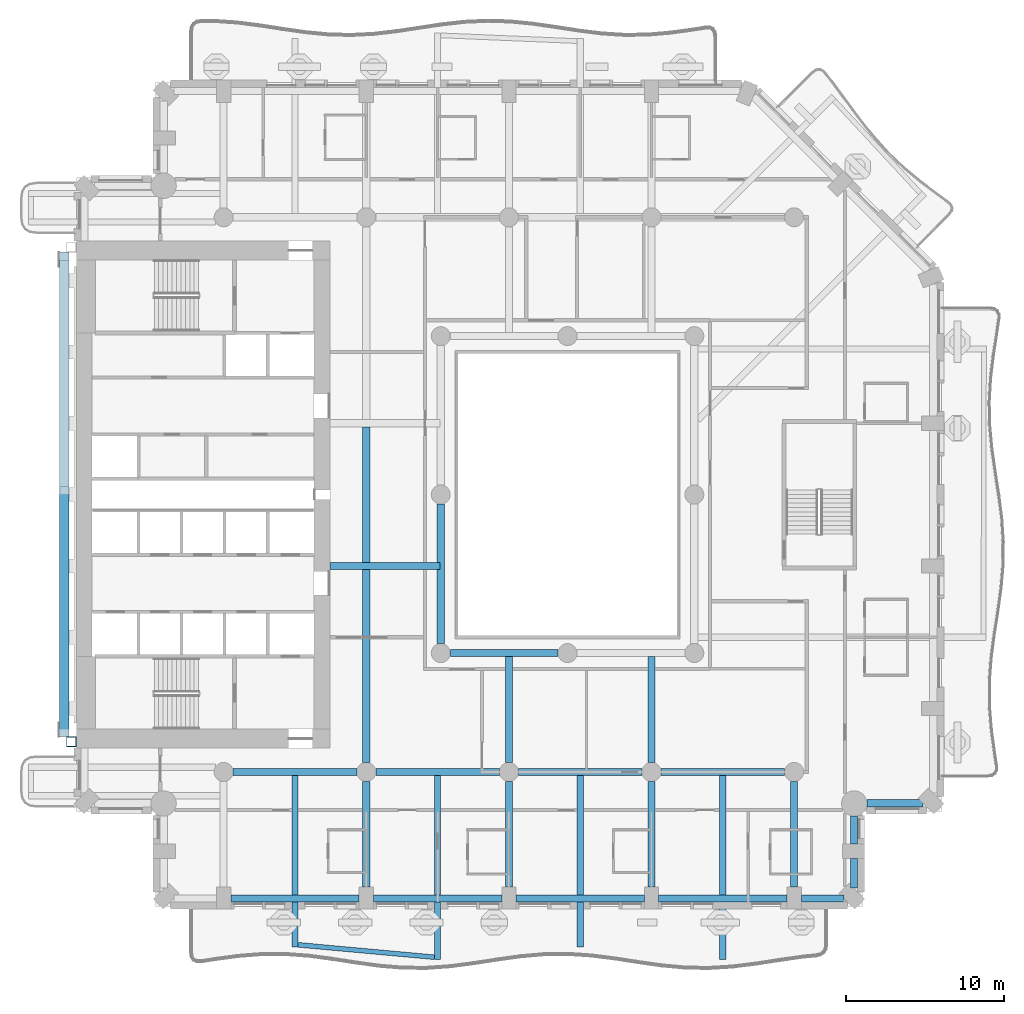
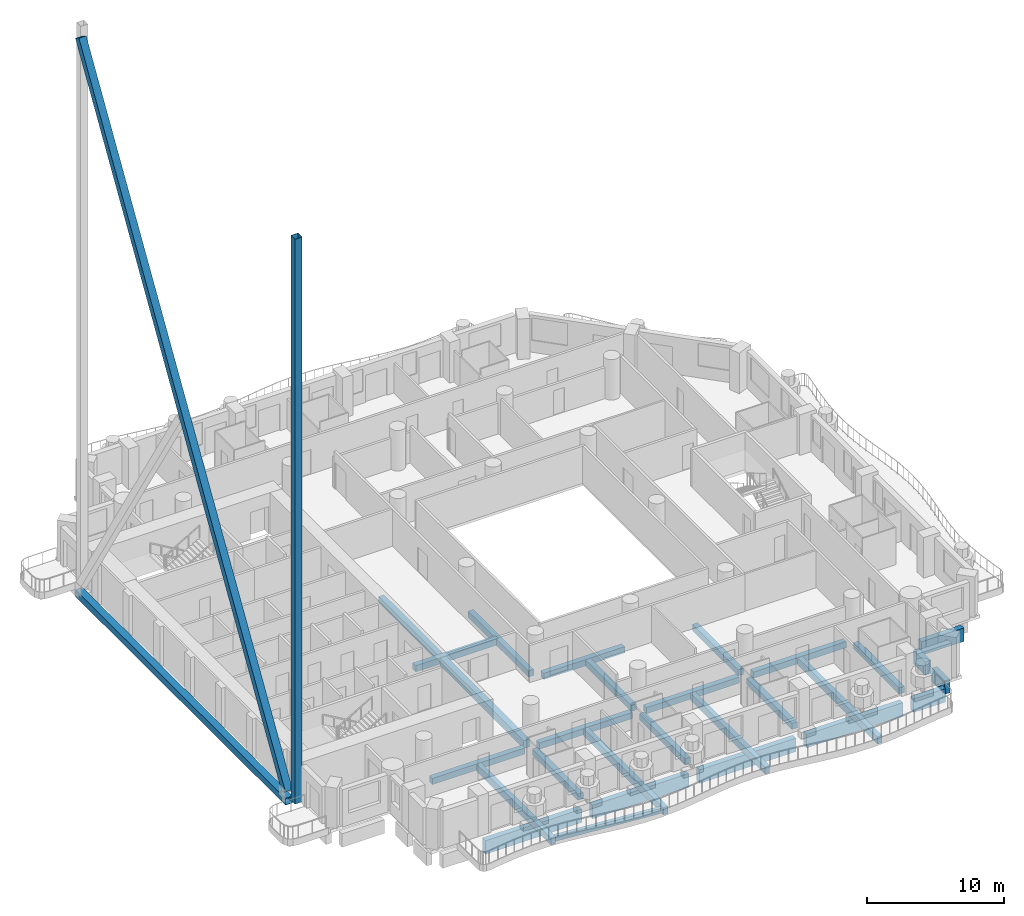
# One storey, part 2 of 24: 28 beams, 3 members.
"""IFC4 building model written with IfcOpenShell, lengths in metres."""

from ifc_helpers import new_model, si_unit, direction, frame, origin, origin_2d, place, context, subcontext, project, spatial, rectangle, hollow_rectangle, extrude, material, material_profile, profile_set, type_object, element, save


model = new_model("IFC4")

# Units and contexts
model_context = context("Model", 3, precision=1e-05, world=origin(), true_north=direction((0.0, 1.0)))
body_context = subcontext(model_context, "Body", "Model", "MODEL_VIEW")
ifc_project = project(units=[si_unit("LENGTHUNIT", "METRE"), si_unit("AREAUNIT", "SQUARE_METRE"), si_unit("VOLUMEUNIT", "CUBIC_METRE"), si_unit("PLANEANGLEUNIT", "RADIAN"), si_unit("MASSUNIT", "GRAM", prefix="KILO")], contexts=[model_context])

# Site, building, storey
site_placement = place(None, origin())
site = spatial("IfcSite", under=ifc_project, at=site_placement, CompositionType="ELEMENT")
building_placement = place(site_placement, origin())
building = spatial("IfcBuilding", under=site, at=building_placement, Name="Cypress Arch Tower", CompositionType="ELEMENT")
storey_placement = place(building_placement, frame((0.0, 0.0, 102.300048828125)))
storey = spatial("IfcBuildingStorey", under=building, at=storey_placement, Name="L20", CompositionType="ELEMENT", Elevation=102.300048828125)

# Beams
ifc_material_1 = material(Name="Concrete C50/60", Category="concrete")
ifc_material_profile_1 = material_profile(ifc_material_1, rectangle(XDim=0.300048828125, YDim=0.449951171875, at=origin_2d()), Name="RC 300x450")
ifc_profile_set_1 = profile_set([ifc_material_profile_1], Name="Concrete C50/60")
beam_type_1 = type_object("IfcBeamType", Name="Balcony edge beam RC 300x450 Concrete C50/60", PredefinedType="BEAM", material=ifc_profile_set_1)
beam_1_placement = place(storey_placement, frame((-16.0, -28.408447265625, -0.525146484375), z_axis=(0.995883931978, -0.090637707543, 0.0), x_axis=(0.090637707543, 0.995883931978, 0.0)))
element("IfcBeam", 1, at=beam_1_placement, inside=storey, type_object=beam_type_1, Name="Balcony edge beam L20 A03", PredefinedType="BEAM", context=body_context, shape_type="SweptSolid", body=[
    extrude(rectangle(XDim=0.300048828125, YDim=0.449951171875, at=origin_2d()), origin(), (0.0, 0.0, 1.0), 8.6357421875),
])
ifc_material_2 = material(Name="Concrete C50/60", Category="concrete")
ifc_material_profile_2 = material_profile(ifc_material_2, rectangle(XDim=0.39990234375, YDim=0.64990234375, at=origin_2d()), Name="RC 400x650")
ifc_profile_set_2 = profile_set([ifc_material_profile_2], Name="Concrete C50/60")
beam_type_2 = type_object("IfcBeamType", Name="Cantilever beam RC 400x650 Concrete C50/60", PredefinedType="BEAM", material=ifc_profile_set_2)
beam_2_placement = place(storey_placement, frame((-16.199951171875, -17.72509765625, -0.625), z_axis=(0.0, -1.0, 0.0), x_axis=(1.0, 0.0, 0.0)))
element("IfcBeam", 2, at=beam_2_placement, inside=storey, type_object=beam_type_2, Name="Cantilever beam L20 A03 1", PredefinedType="BEAM", context=body_context, shape_type="SweptSolid", body=[
    extrude(rectangle(XDim=0.39990234375, YDim=0.64990234375, at=origin_2d()), origin(), (0.0, 0.0, 1.0), 10.833251953125),
])
beam_3_placement = place(storey_placement, frame((-7.199951171875, -17.72509765625, -0.625), z_axis=(0.0, -1.0, 0.0), x_axis=(1.0, 0.0, 0.0)))
element("IfcBeam", 3, at=beam_3_placement, inside=storey, type_object=beam_type_2, Name="Cantilever beam L20 A03 2", PredefinedType="BEAM", context=body_context, shape_type="SweptSolid", body=[
    extrude(rectangle(XDim=0.39990234375, YDim=0.64990234375, at=origin_2d()), origin(), (0.0, 0.0, 1.0), 11.615966796875),
])
beam_4_placement = place(storey_placement, frame((1.800048828125, -17.72509765625, -0.625), z_axis=(0.0, -1.0, 0.0), x_axis=(1.0, 0.0, 0.0)))
element("IfcBeam", 4, at=beam_4_placement, inside=storey, type_object=beam_type_2, Name="Cantilever beam L20 A03 3", PredefinedType="BEAM", context=body_context, shape_type="SweptSolid", body=[
    extrude(rectangle(XDim=0.39990234375, YDim=0.64990234375, at=origin_2d()), origin(), (0.0, 0.0, 1.0), 10.833984375),
])
beam_5_placement = place(storey_placement, frame((10.800048828125, -17.72509765625, -0.625), z_axis=(0.0, -1.0, 0.0), x_axis=(1.0, 0.0, 0.0)))
element("IfcBeam", 5, at=beam_5_placement, inside=storey, type_object=beam_type_2, Name="Cantilever beam L20 A03 4", PredefinedType="BEAM", context=body_context, shape_type="SweptSolid", body=[
    extrude(rectangle(XDim=0.39990234375, YDim=0.64990234375, at=origin_2d()), origin(), (0.0, 0.0, 1.0), 11.6162109375),
])
ifc_material_3 = material(Name="Concrete C50/60", Category="concrete")
ifc_material_profile_3 = material_profile(ifc_material_3, rectangle(XDim=0.449951171875, YDim=0.550048828125, at=origin_2d()), Name="RC 450x550")
ifc_profile_set_3 = profile_set([ifc_material_profile_3], Name="Concrete C50/60")
beam_type_3 = type_object("IfcBeamType", Name="Floor beam RC 450x550 Concrete C50/60", PredefinedType="BEAM", material=ifc_profile_set_3)
beam_6_placement = place(storey_placement, frame((-7.0, -9.39990234375, -0.574951171875), z_axis=(0.0, 1.0, 0.0), x_axis=(-1.0, 0.0, 0.0)))
element("IfcBeam", 6, at=beam_6_placement, inside=storey, type_object=beam_type_3, Name="Floor beam L20 RB001", PredefinedType="BEAM", context=body_context, shape_type="SweptSolid", body=[
    extrude(rectangle(XDim=0.449951171875, YDim=0.550048828125, at=origin_2d()), origin(), (0.0, 0.0, 1.0), 8.7998046875),
])
beam_7_placement = place(storey_placement, frame((-6.39990234375, -10.0, -0.574951171875), z_axis=(1.0, 0.0, 0.0), x_axis=(0.0, 1.0, 0.0)))
element("IfcBeam", 7, at=beam_7_placement, inside=storey, type_object=beam_type_3, Name="Floor beam L20 RB005", PredefinedType="BEAM", context=body_context, shape_type="SweptSolid", body=[
    extrude(rectangle(XDim=0.449951171875, YDim=0.550048828125, at=origin_2d()), origin(), (0.0, 0.0, 1.0), 6.7998046875),
])
for number, where, z_axis, x_axis, name in (
    (8, (-20.10009765625, -17.5, -0.574951171875), (1.0, 0.0, 0.0), (0.0, 1.0, 0.0), "Floor beam L20 FB009"),
    (9, (-11.10009765625, -17.5, -0.574951171875), (1.0, 0.0, 0.0), (0.0, 1.0, 0.0), "Floor beam L20 FB010"),
    (10, (-2.10009765625, -17.5, -0.574951171875), (1.0, 0.0, 0.0), (0.0, 1.0, 0.0), "Floor beam L20 FB011"),
    (11, (6.89990234375, -17.5, -0.574951171875), (1.0, 0.0, 0.0), (0.0, 1.0, 0.0), "Floor beam L20 FB012"),
):
    element("IfcBeam", number, at=place(storey_placement, frame(where, z_axis=z_axis, x_axis=x_axis)), inside=storey, type_object=beam_type_3, Name=name, PredefinedType="BEAM", context=body_context, shape_type="SweptSolid", body=[
        extrude(rectangle(XDim=0.449951171875, YDim=0.550048828125, at=origin_2d()), origin(), (0.0, 0.0, 1.0), 7.800048828125),
    ])
beam_8_placement = place(storey_placement, frame((-14.0, -4.5, -0.574951171875), z_axis=(1.0, 0.0, 0.0), x_axis=(0.0, 1.0, 0.0)))
element("IfcBeam", 12, at=beam_8_placement, inside=storey, type_object=beam_type_3, Name="Floor beam L20 FB013", PredefinedType="BEAM", context=body_context, shape_type="SweptSolid", body=[
    extrude(rectangle(XDim=0.449951171875, YDim=0.550048828125, at=origin_2d()), origin(), (0.0, 0.0, 1.0), 6.949951171875),
])
beam_9_placement = place(storey_placement, frame((-11.699951171875, -24.75, -0.574951171875), z_axis=(0.0, 1.0, 0.0), x_axis=(-1.0, 0.0, 0.0)))
element("IfcBeam", 13, at=beam_9_placement, inside=storey, type_object=beam_type_3, Name="Floor beam L20 FB021", PredefinedType="BEAM", context=body_context, shape_type="SweptSolid", body=[
    extrude(rectangle(XDim=0.449951171875, YDim=0.550048828125, at=origin_2d()), origin(), (0.0, 0.0, 1.0), 6.64990234375),
])
beam_10_placement = place(storey_placement, frame((-11.699951171875, -4.27490234375, -0.574951171875), z_axis=(0.0, 1.0, 0.0), x_axis=(-1.0, 0.0, 0.0)))
element("IfcBeam", 14, at=beam_10_placement, inside=storey, type_object=beam_type_3, Name="Floor beam L20 FB023", PredefinedType="BEAM", context=body_context, shape_type="SweptSolid", body=[
    extrude(rectangle(XDim=0.449951171875, YDim=0.550048828125, at=origin_2d()), origin(), (0.0, 0.0, 1.0), 8.5498046875),
])
beam_11_placement = place(storey_placement, frame((-2.699951171875, -24.75, -0.574951171875), z_axis=(0.0, 1.0, 0.0), x_axis=(-1.0, 0.0, 0.0)))
element("IfcBeam", 15, at=beam_11_placement, inside=storey, type_object=beam_type_3, Name="Floor beam L20 FB026", PredefinedType="BEAM", context=body_context, shape_type="SweptSolid", body=[
    extrude(rectangle(XDim=0.449951171875, YDim=0.550048828125, at=origin_2d()), origin(), (0.0, 0.0, 1.0), 6.64990234375),
])
beam_12_placement = place(storey_placement, frame((-2.699951171875, -16.89990234375, -0.574951171875), z_axis=(0.0, 1.0, 0.0), x_axis=(-1.0, 0.0, 0.0)))
element("IfcBeam", 16, at=beam_12_placement, inside=storey, type_object=beam_type_3, Name="Floor beam L20 FB027", PredefinedType="BEAM", context=body_context, shape_type="SweptSolid", body=[
    extrude(rectangle(XDim=0.449951171875, YDim=0.550048828125, at=origin_2d()), origin(), (0.0, 0.0, 1.0), 6.6748046875),
])
beam_13_placement = place(storey_placement, frame((6.300048828125, -24.75, -0.574951171875), z_axis=(0.0, 1.0, 0.0), x_axis=(-1.0, 0.0, 0.0)))
element("IfcBeam", 17, at=beam_13_placement, inside=storey, type_object=beam_type_3, Name="Floor beam L20 FB030", PredefinedType="BEAM", context=body_context, shape_type="SweptSolid", body=[
    extrude(rectangle(XDim=0.449951171875, YDim=0.550048828125, at=origin_2d()), origin(), (0.0, 0.0, 1.0), 6.64990234375),
])
beam_14_placement = place(storey_placement, frame((6.300048828125, -16.89990234375, -0.574951171875), z_axis=(0.0, 1.0, 0.0), x_axis=(-1.0, 0.0, 0.0)))
element("IfcBeam", 18, at=beam_14_placement, inside=storey, type_object=beam_type_3, Name="Floor beam L20 FB031", PredefinedType="BEAM", context=body_context, shape_type="SweptSolid", body=[
    extrude(rectangle(XDim=0.449951171875, YDim=0.550048828125, at=origin_2d()), origin(), (0.0, 0.0, 1.0), 6.6748046875),
])
beam_15_placement = place(storey_placement, frame((15.300048828125, -24.75, -0.574951171875), z_axis=(0.0, 1.0, 0.0), x_axis=(-1.0, 0.0, 0.0)))
element("IfcBeam", 19, at=beam_15_placement, inside=storey, type_object=beam_type_3, Name="Floor beam L20 FB034", PredefinedType="BEAM", context=body_context, shape_type="SweptSolid", body=[
    extrude(rectangle(XDim=0.449951171875, YDim=0.550048828125, at=origin_2d()), origin(), (0.0, 0.0, 1.0), 6.64990234375),
])
ifc_material_4 = material(Name="Concrete C50/60", Category="concrete")
ifc_material_profile_4 = material_profile(ifc_material_4, rectangle(XDim=0.5, YDim=0.699951171875, at=origin_2d()), Name="RC 500x700")
ifc_profile_set_4 = profile_set([ifc_material_profile_4], Name="Concrete C50/60")
beam_type_4 = type_object("IfcBeamType", Name="Floor beam RC 500x700 Concrete C50/60", PredefinedType="BEAM", material=ifc_profile_set_4)
beam_16_placement = place(storey_placement, frame((-11.699951171875, -16.89990234375, -0.650146484375), z_axis=(0.0, 1.0, 0.0), x_axis=(-1.0, 0.0, 0.0)))
element("IfcBeam", 20, at=beam_16_placement, inside=storey, type_object=beam_type_4, Name="Floor beam L20 FB022", PredefinedType="BEAM", context=body_context, shape_type="SweptSolid", body=[
    extrude(rectangle(XDim=0.5, YDim=0.699951171875, at=origin_2d()), origin(), (0.0, 0.0, 1.0), 12.1748046875),
])
ifc_material_5 = material(Name="Concrete C50/60", Category="concrete")
ifc_material_profile_5 = material_profile(ifc_material_5, rectangle(XDim=0.449951171875, YDim=1.199951171875, at=origin_2d()), Name="RC 450x1200")
ifc_profile_set_5 = profile_set([ifc_material_profile_5], Name="Concrete C50/60")
beam_type_5 = type_object("IfcBeamType", Name="Spandrel beam RC 450x1200 Concrete C50/60", PredefinedType="SPANDREL", material=ifc_profile_set_5)
for number, where, z_axis, x_axis, name in (
    (21, (-20.25, -25.47509765625, -1.550048828125), (1.0, 0.0, 0.0), (0.0, 1.0, 0.0), "Spandrel beam L20 BA03-1"),
    (22, (-11.25, -25.47509765625, -1.550048828125), (1.0, 0.0, 0.0), (0.0, 1.0, 0.0), "Spandrel beam L20 BA03-2"),
    (23, (-2.25, -25.47509765625, -1.550048828125), (1.0, 0.0, 0.0), (0.0, 1.0, 0.0), "Spandrel beam L20 BA03-3"),
    (24, (6.75, -25.47509765625, -1.550048828125), (1.0, 0.0, 0.0), (0.0, 1.0, 0.0), "Spandrel beam L20 BA03-4"),
):
    element("IfcBeam", number, at=place(storey_placement, frame(where, z_axis=z_axis, x_axis=x_axis)), inside=storey, type_object=beam_type_5, Name=name, PredefinedType="SPANDREL", context=body_context, shape_type="SweptSolid", body=[
        extrude(rectangle(XDim=0.449951171875, YDim=1.199951171875, at=origin_2d()), origin(), (0.0, 0.0, 1.0), 8.10009765625),
    ])
beam_17_placement = place(storey_placement, frame((15.75, -25.47509765625, -1.550048828125), z_axis=(1.0, 0.0, 0.0), x_axis=(0.0, 1.0, 0.0)))
element("IfcBeam", 25, at=beam_17_placement, inside=storey, type_object=beam_type_5, Name="Spandrel beam L20 BA03-5", PredefinedType="SPANDREL", context=body_context, shape_type="SweptSolid", body=[
    extrude(rectangle(XDim=0.449951171875, YDim=1.199951171875, at=origin_2d()), origin(), (0.0, 0.0, 1.0), 2.688720703125),
])
beam_18_placement = place(storey_placement, frame((19.074951171875, -24.838623046875, -1.550048828125), z_axis=(0.0, 1.0, 0.0), x_axis=(-1.0, 0.0, 0.0)))
element("IfcBeam", 26, at=beam_18_placement, inside=storey, type_object=beam_type_5, Name="Spandrel beam L20 BA04-0", PredefinedType="SPANDREL", context=body_context, shape_type="SweptSolid", body=[
    extrude(rectangle(XDim=0.449951171875, YDim=1.199951171875, at=origin_2d()), origin(), (0.0, 0.0, 1.0), 1.888671875),
])
beam_19_placement = place(storey_placement, frame((19.074951171875, -22.050048828125, -1.550048828125), z_axis=(0.0, 1.0, 0.0), x_axis=(-1.0, 0.0, 0.0)))
element("IfcBeam", 27, at=beam_19_placement, inside=storey, type_object=beam_type_5, Name="Spandrel beam L20 BA04-1", PredefinedType="SPANDREL", context=body_context, shape_type="SweptSolid", body=[
    extrude(rectangle(XDim=0.449951171875, YDim=1.199951171875, at=origin_2d()), origin(), (0.0, 0.0, 1.0), 1.762451171875),
])
beam_20_placement = place(storey_placement, frame((19.887451171875, -19.47509765625, -1.550048828125), z_axis=(1.0, 0.0, 0.0), x_axis=(0.0, 1.0, 0.0)))
element("IfcBeam", 28, at=beam_20_placement, inside=storey, type_object=beam_type_5, Name="Spandrel beam L20 BA05-0", PredefinedType="SPANDREL", context=body_context, shape_type="SweptSolid", body=[
    extrude(rectangle(XDim=0.449951171875, YDim=1.199951171875, at=origin_2d()), origin(), (0.0, 0.0, 1.0), 3.55126953125),
])

# Members
ifc_material_6 = material(Name="Steel ASTM A501 Grade B", Category="steel")
ifc_material_profile_6 = material_profile(ifc_material_6, hollow_rectangle(XDim=0.609619140625, YDim=0.609619140625, WallThickness=0.023681640625, at=origin_2d()), Name="HSS 24x24x1")
ifc_profile_set_6 = profile_set([ifc_material_profile_6], Name="Steel ASTM A501 Grade B")
member_type_1 = type_object("IfcMemberType", Name="West bracing chord HSS 24x24x1 Steel ASTM A501 Grade B", PredefinedType="CHORD", material=ifc_profile_set_6)
member_1_placement = place(storey_placement, frame((-30.7548828125, -15.295166015625, 0.0), z_axis=(0.0, 1.0, 0.0), x_axis=(-1.0, 0.0, 0.0)))
element("IfcMember", 29, at=member_1_placement, inside=storey, type_object=member_type_1, Name="West bracing chord 2", PredefinedType="CHORD", context=body_context, shape_type="SweptSolid", body=[
    extrude(hollow_rectangle(XDim=0.609619140625, YDim=0.609619140625, WallThickness=0.023681640625, at=origin_2d()), origin(), (0.0, 0.0, 1.0), 30.59033203125),
])
ifc_material_7 = material(Name="Steel ASTM A501 Grade B", Category="steel")
ifc_material_profile_7 = material_profile(ifc_material_7, hollow_rectangle(XDim=0.609619140625, YDim=0.609619140625, WallThickness=0.023681640625, at=origin_2d()), Name="HSS 24x24x1")
ifc_profile_set_7 = profile_set([ifc_material_profile_7], Name="Steel ASTM A501 Grade B")
member_type_2 = type_object("IfcMemberType", Name="West bracing diagonal HSS 24x24x1 Steel ASTM A501 Grade B", PredefinedType="BRACE", material=ifc_profile_set_7)
member_2_placement = place(storey_placement, frame((-30.7548828125, -15.036376953125, 0.724365234375), z_axis=(0.0, 0.52501077408, 0.851095580472), x_axis=(-1.0, 0.0, 0.0)))
element("IfcMember", 30, at=member_2_placement, inside=storey, type_object=member_type_2, Name="West bracing diagonal 2A", PredefinedType="BRACE", context=body_context, shape_type="SweptSolid", body=[
    extrude(hollow_rectangle(XDim=0.609619140625, YDim=0.609619140625, WallThickness=0.023681640625, at=origin_2d()), origin(), (0.0, 0.0, 1.0), 57.2802734375),
])
ifc_material_8 = material(Name="Steel ASTM A501 Grade B", Category="steel")
ifc_material_profile_8 = material_profile(ifc_material_8, hollow_rectangle(XDim=0.609619140625, YDim=0.609619140625, WallThickness=0.023681640625, at=origin_2d()), Name="HSS 24x24x1")
ifc_profile_set_8 = profile_set([ifc_material_profile_8], Name="Steel ASTM A501 Grade B")
member_type_3 = type_object("IfcMemberType", Name="West bracing post HSS 24x24x1 Steel ASTM A501 Grade B", PredefinedType="POST", material=ifc_profile_set_8)
member_3_placement = place(storey_placement, frame((-30.3046875, -15.60009765625, 0.0), z_axis=(0.0, 0.0, 1.0), x_axis=(1.0, 0.0, 0.0)))
element("IfcMember", 31, at=member_3_placement, inside=storey, type_object=member_type_3, Name="West bracing post 2S", PredefinedType="POST", context=body_context, shape_type="SweptSolid", body=[
    extrude(hollow_rectangle(XDim=0.609619140625, YDim=0.609619140625, WallThickness=0.023681640625, at=origin_2d()), origin(), (0.0, 0.0, 1.0), 50.199951171875),
])

save(model, "model.ifc")
